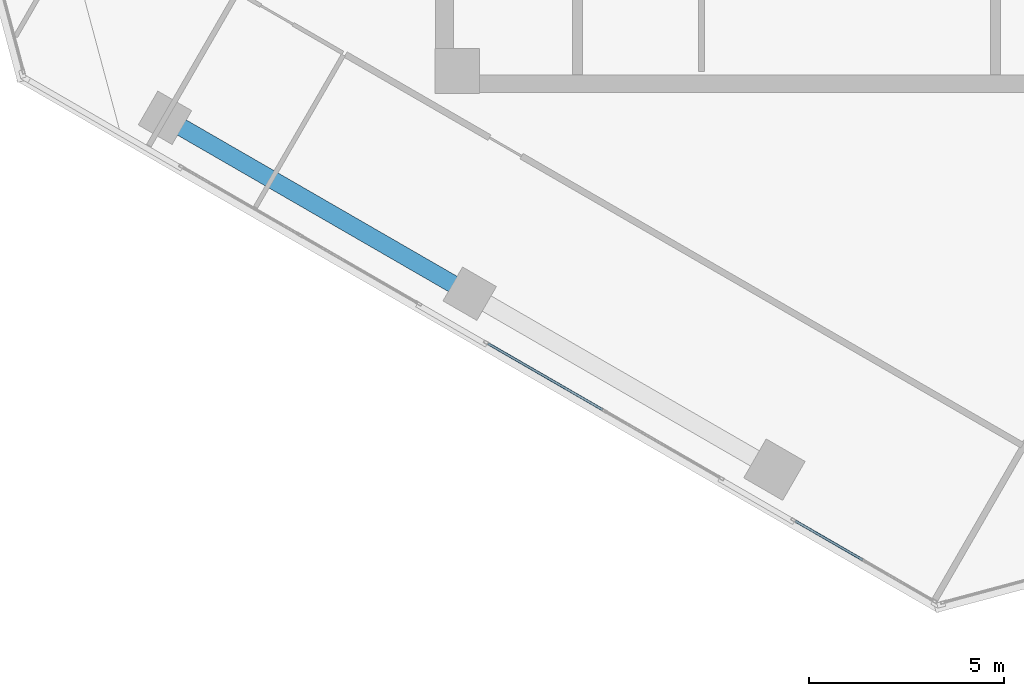
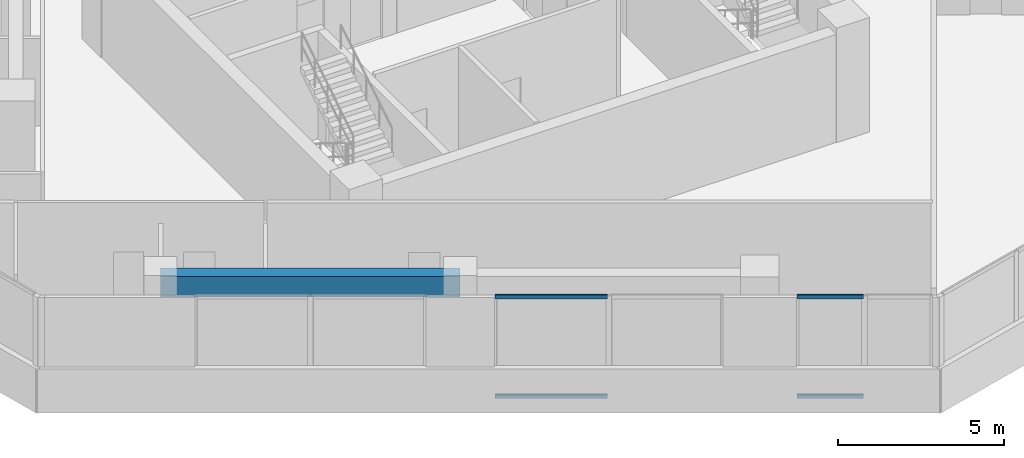
# One storey, part 3 of 21: 4 members, 1 beam, 2 elements without a shape of their own.
"""IFC4 building model written with IfcOpenShell, lengths in metres."""

from ifc_helpers import new_model, si_unit, direction, frame, origin, origin_2d, place, context, subcontext, project, spatial, rectangle, hollow_rectangle, extrude, source, transform, mapped, material, material_profile, profile_set, type_object, element, aggregate, save


model = new_model("IFC4")

# Units and contexts
model_context = context("Model", 3, precision=1e-05, world=origin(), true_north=direction((0.0, 1.0)))
body_context = subcontext(model_context, "Body", "Model", "MODEL_VIEW")
ifc_project = project(units=[si_unit("LENGTHUNIT", "METRE"), si_unit("AREAUNIT", "SQUARE_METRE"), si_unit("VOLUMEUNIT", "CUBIC_METRE"), si_unit("PLANEANGLEUNIT", "RADIAN"), si_unit("MASSUNIT", "GRAM", prefix="KILO")], contexts=[model_context])

# Site, building, storey
site_placement = place(None, origin())
site = spatial("IfcSite", under=ifc_project, at=site_placement, CompositionType="ELEMENT")
building_placement = place(site_placement, origin())
building = spatial("IfcBuilding", under=site, at=building_placement, Name="Torre Montelarca", CompositionType="ELEMENT")
storey_placement = place(building_placement, frame((0.0, 0.0, 179.199951171875)))
storey = spatial("IfcBuildingStorey", under=building, at=storey_placement, Name="L40", CompositionType="ELEMENT", Elevation=179.199951171875)

# Beam
ifc_material_1 = material(Name="Concrete C55/67", Category="concrete")
ifc_material_profile_1 = material_profile(ifc_material_1, rectangle(XDim=0.449951171875, YDim=0.75, at=origin_2d()), Name="RCB450X750", Category="concrete")
ifc_profile_set_1 = profile_set([ifc_material_profile_1], Name="Concrete C55/67")
beam_type = type_object("IfcBeamType", Name="BM-SP-RC750-EXT", PredefinedType="SPANDREL", material=ifc_profile_set_1)
shared_shape_1 = source(origin(), body_context, "Body", "SweptSolid", [
    extrude(rectangle(XDim=0.449951171875, YDim=0.75, at=origin_2d()), origin(), (0.0, 0.0, 1.0), 9.0),
])
beam_placement = place(storey_placement, frame((2.07470703125, 23.3544921875, 3.5849609375), z_axis=(0.866024315419, -0.5000018851, 0.0), x_axis=(0.5000018851, 0.866024315419, 0.0)))
element("IfcBeam", 1, at=beam_placement, inside=storey, type_object=beam_type, Name="L40 Grid Girder X 9.0-18.0 at Y=14.8", PredefinedType="SPANDREL", context=body_context, shape_type="MappedRepresentation", body=[
    mapped(shared_shape_1, transform((0.0, 0.0, 0.0), scale=1.0)),
])

# Curtain wall, members
ifc_material_2 = material(Name="Insulated low-E laminated glass", Category="glass")
curtain_wall_type = type_object("IfcCurtainWallType", Name="CW-SYS-Z2", PredefinedType="USERDEFINED", material=ifc_material_2)
curtain_wall_1_placement = place(storey_placement, origin())
curtain_wall_1 = element("IfcCurtainWall", 2, at=curtain_wall_1_placement, inside=storey, type_object=curtain_wall_type, Name="L40 Curtain Wall Run CW-T3-L40-E01-B2", ObjectType="UNITISED GLAZING", PredefinedType="USERDEFINED")
ifc_material_3 = material(Name="Anodised aluminium AA 6063-T6", Category="aluminium")
ifc_material_profile_2 = material_profile(ifc_material_3, hollow_rectangle(XDim=0.06494140625, YDim=0.139892578125, WallThickness=0.00390625, InnerFilletRadius=0.00390625, OuterFilletRadius=0.008056640625, at=origin_2d()), Name="ALU65X140X4", Category="aluminium")
ifc_profile_set_2 = profile_set([ifc_material_profile_2], Name="Anodised aluminium AA 6063-T6")
member_type = type_object("IfcMemberType", Name="CWT-ALU140", PredefinedType="USERDEFINED", material=ifc_profile_set_2)
shared_shape_2 = source(origin(), body_context, "Body", "SweptSolid", [
    extrude(hollow_rectangle(XDim=0.06494140625, YDim=0.139892578125, WallThickness=0.00390625, InnerFilletRadius=0.00390625, OuterFilletRadius=0.008056640625, at=origin_2d()), origin(), (0.0, 0.0, 1.0), 3.384765625),
])
member_1_placement = place(storey_placement, frame((10.3388671875, 17.578369140625, 0.032470703125), z_axis=(0.86603304561, -0.499986763735, 0.0), x_axis=(0.499986763735, 0.86603304561, 0.0)))
member_1 = element("IfcMember", 3, at=member_1_placement, type_object=member_type, Name="CW transom 1.1", ObjectType="TRANSOM", PredefinedType="USERDEFINED", context=body_context, shape_type="MappedRepresentation", body=[
    mapped(shared_shape_2, transform((0.0, 0.0, 0.0), scale=1.0)),
])
member_2_placement = place(storey_placement, frame((10.3388671875, 17.578369140625, 3.6875), z_axis=(0.86603304561, -0.499986763735, 0.0), x_axis=(0.499986763735, 0.86603304561, 0.0)))
member_2 = element("IfcMember", 4, at=member_2_placement, type_object=member_type, Name="CW transom 1.2", ObjectType="TRANSOM", PredefinedType="USERDEFINED", context=body_context, shape_type="MappedRepresentation", body=[
    mapped(shared_shape_2, transform((0.0, 0.0, 0.0), scale=1.0)),
])
aggregate(curtain_wall_1, [member_1, member_2])

curtain_wall_2_placement = place(storey_placement, origin())
curtain_wall_2 = element("IfcCurtainWall", 5, at=curtain_wall_2_placement, inside=storey, type_object=curtain_wall_type, Name="L40 Curtain Wall Run CW-T3-L40-E01-B3", ObjectType="UNITISED GLAZING", PredefinedType="USERDEFINED")
shared_shape_3 = source(origin(), body_context, "Body", "SweptSolid", [
    extrude(hollow_rectangle(XDim=0.06494140625, YDim=0.139892578125, WallThickness=0.00390625, InnerFilletRadius=0.00390625, OuterFilletRadius=0.008056640625, at=origin_2d()), origin(), (0.0, 0.0, 1.0), 1.9921875),
])
member_3_placement = place(storey_placement, frame((18.197998046875, 13.041015625, 0.032470703125), z_axis=(0.866032532966, -0.499987651691, 0.0), x_axis=(0.499987651691, 0.866032532966, 0.0)))
member_3 = element("IfcMember", 6, at=member_3_placement, type_object=member_type, Name="CW transom 1.1", ObjectType="TRANSOM", PredefinedType="USERDEFINED", context=body_context, shape_type="MappedRepresentation", body=[
    mapped(shared_shape_3, transform((0.0, 0.0, 0.0), scale=1.0)),
])
member_4_placement = place(storey_placement, frame((18.197998046875, 13.041015625, 3.6875), z_axis=(0.866032532966, -0.499987651691, 0.0), x_axis=(0.499987651691, 0.866032532966, 0.0)))
member_4 = element("IfcMember", 7, at=member_4_placement, type_object=member_type, Name="CW transom 1.2", ObjectType="TRANSOM", PredefinedType="USERDEFINED", context=body_context, shape_type="MappedRepresentation", body=[
    mapped(shared_shape_3, transform((0.0, 0.0, 0.0), scale=1.0)),
])
aggregate(curtain_wall_2, [member_3, member_4])

save(model, "model.ifc")
